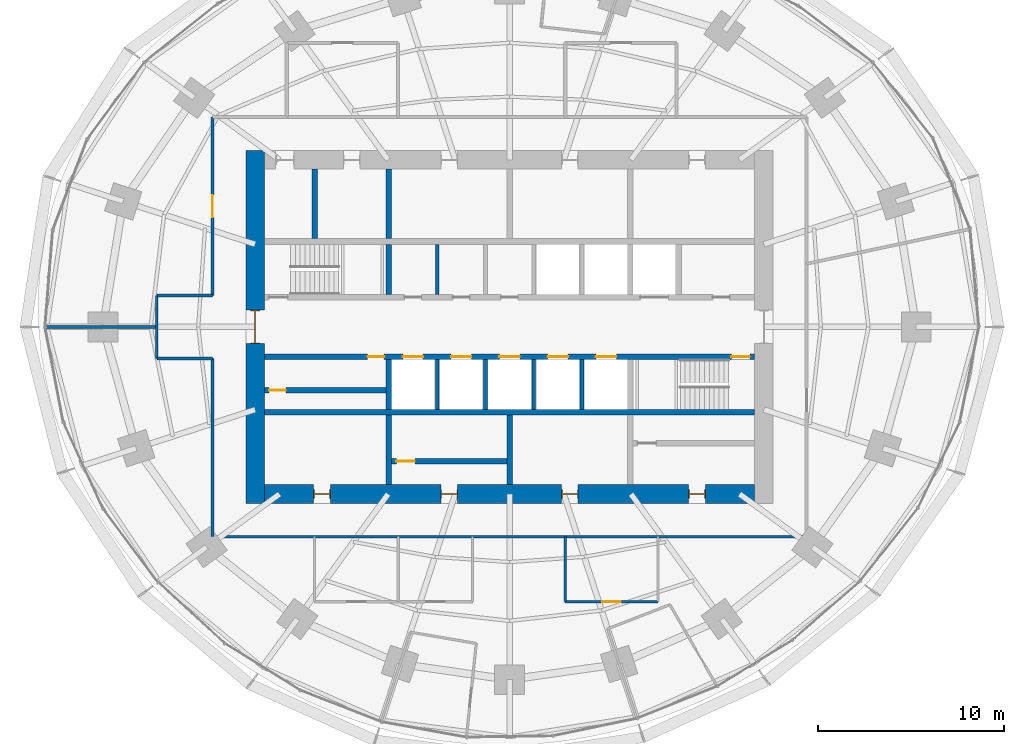
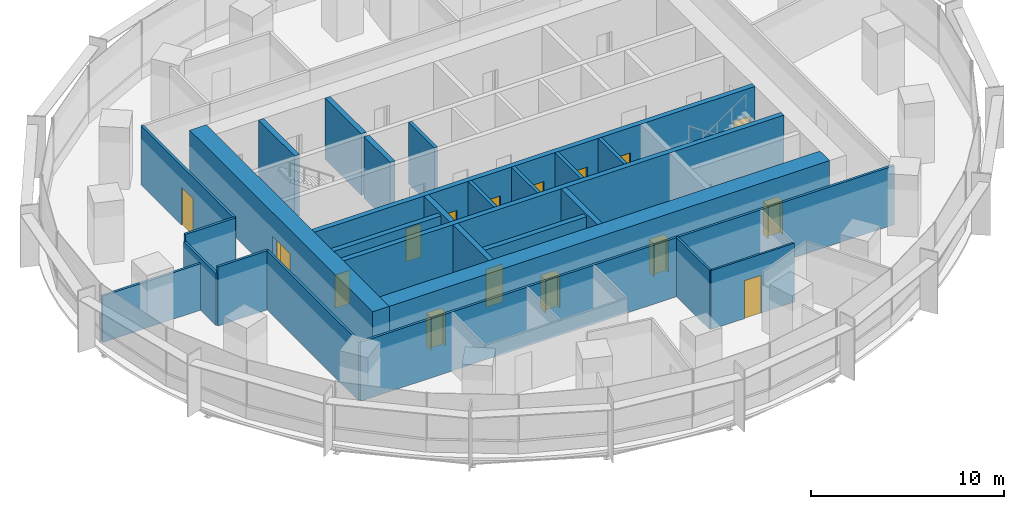
# One storey, part 10 of 14: 26 walls, 16 doors, 16 openings.
"""IFC4 building model written with IfcOpenShell, lengths in metres."""

from ifc_helpers import new_model, si_unit, direction, frame, frame_2d, origin, place, context, subcontext, project, spatial, rectangle, extrude, material, layer, layer_set, type_object, element, fill, save


model = new_model("IFC4")

# Units and contexts
model_context = context("Model", 3, precision=1e-05, world=origin(), true_north=direction((0.0, 1.0)))
body_context = subcontext(model_context, "Body", "Model", "MODEL_VIEW")
ifc_project = project(units=[si_unit("LENGTHUNIT", "METRE"), si_unit("AREAUNIT", "SQUARE_METRE"), si_unit("VOLUMEUNIT", "CUBIC_METRE"), si_unit("PLANEANGLEUNIT", "RADIAN"), si_unit("MASSUNIT", "GRAM", prefix="KILO")], contexts=[model_context])

# Site, building, storey
site_placement = place(None, origin())
site = spatial("IfcSite", under=ifc_project, at=site_placement, CompositionType="ELEMENT")
building_placement = place(site_placement, origin())
building = spatial("IfcBuilding", under=site, at=building_placement, Name="Marramba Exchange Tower", CompositionType="ELEMENT")
storey_placement = place(building_placement, frame((0.0, 0.0, 108.0)))
storey = spatial("IfcBuildingStorey", under=building, at=storey_placement, Name="L25", CompositionType="ELEMENT", Elevation=108.0)

# Walls
ifc_material_1 = material(Name="Concrete N50", Category="concrete")
ifc_layer_1 = layer(ifc_material_1, 0.199951171875)
ifc_layer_set_1 = layer_set([ifc_layer_1], Name="Core shaft wall 200")
wall_type_1 = type_object("IfcWallType", Name="Core shaft wall 200", PredefinedType="SHEAR", material=ifc_layer_set_1)
for number, where, z_axis, x_axis, name in (
    (1, (-3.89990234375, 1.75, 0.0), (0.0, 0.0, 1.0), (0.0, 1.0, 0.0), "Core wall SHN1 L25"),
    (2, (-3.89990234375, -1.75, 0.0), (0.0, 0.0, 1.0), (0.0, -1.0, 0.0), "Core wall SHS1 L25"),
    (3, (-1.300048828125, -1.75, 0.0), (0.0, 0.0, 1.0), (0.0, -1.0, 0.0), "Core wall SHS2 L25"),
    (4, (1.300048828125, -1.75, 0.0), (0.0, 0.0, 1.0), (0.0, -1.0, 0.0), "Core wall SHS3 L25"),
    (5, (3.89990234375, -1.75, 0.0), (0.0, 0.0, 1.0), (0.0, -1.0, 0.0), "Core wall SHS4 L25"),
):
    element("IfcWall", number, at=place(storey_placement, frame(where, z_axis=z_axis, x_axis=x_axis)), inside=storey, type_object=wall_type_1, Name=name, PredefinedType="SHEAR", context=body_context, shape_type="SweptSolid", body=[
        extrude(rectangle(XDim=2.699951171875, YDim=0.199951171875, at=frame_2d((1.35009765625, 0.0))), origin(), (0.0, 0.0, 1.0), 3.89990234375),
    ])

# Wall, openings, doors
ifc_layer_2 = layer(ifc_material_1, 1.0)
ifc_layer_set_2 = layer_set([ifc_layer_2], Name="Core wall 1000")
wall_type_2 = type_object("IfcWallType", Name="Core wall 1000", PredefinedType="SHEAR", material=ifc_layer_set_2)
wall_1_placement = place(storey_placement, frame((-13.199951171875, -9.0, 0.0), z_axis=(0.0, 0.0, 1.0), x_axis=(1.0, 0.0, 0.0)))
wall_1 = element("IfcWall", 6, at=wall_1_placement, inside=storey, type_object=wall_type_2, Name="Core wall S L25", PredefinedType="SHEAR", context=body_context, shape_type="SweptSolid", body=[
    extrude(rectangle(XDim=26.39990234375, YDim=1.0, at=frame_2d((13.199951171875, 0.0))), origin(), (0.0, 0.0, 1.0), 3.89990234375),
])
opening_1_placement = place(wall_1_placement, frame((2.64990234375, 0.0, 0.0)))
opening_1 = element("IfcOpeningElement", 7, at=opening_1_placement, cuts=wall_1, Name="Opening D5", PredefinedType="OPENING", context=body_context, shape_type="SweptSolid", body=[
    extrude(rectangle(XDim=0.89990234375, YDim=2.10009765625, at=frame_2d((0.449951171875, 1.050048828125))), frame((0.0, 0.510009765625, 0.0), z_axis=(0.0, -1.0, 0.0), x_axis=(1.0, 0.0, 0.0)), (0.0, 0.0, 1.0), 1.02001953125),
])
opening_2_placement = place(wall_1_placement, frame((9.5, 0.0, 0.0)))
opening_2 = element("IfcOpeningElement", 8, at=opening_2_placement, cuts=wall_1, Name="Opening D5", PredefinedType="OPENING", context=body_context, shape_type="SweptSolid", body=[
    extrude(rectangle(XDim=0.89990234375, YDim=2.10009765625, at=frame_2d((0.449951171875, 1.050048828125))), frame((0.0, 0.510009765625, 0.0), z_axis=(0.0, -1.0, 0.0), x_axis=(1.0, 0.0, 0.0)), (0.0, 0.0, 1.0), 1.02001953125),
])
opening_3_placement = place(wall_1_placement, frame((16.0, 0.0, 0.0)))
opening_3 = element("IfcOpeningElement", 9, at=opening_3_placement, cuts=wall_1, Name="Opening D5", PredefinedType="OPENING", context=body_context, shape_type="SweptSolid", body=[
    extrude(rectangle(XDim=0.89990234375, YDim=2.10009765625, at=frame_2d((0.449951171875, 1.050048828125))), frame((0.0, 0.510009765625, 0.0), z_axis=(0.0, -1.0, 0.0), x_axis=(1.0, 0.0, 0.0)), (0.0, 0.0, 1.0), 1.02001953125),
])
opening_4_placement = place(wall_1_placement, frame((22.85009765625, 0.0, 0.0)))
opening_4 = element("IfcOpeningElement", 10, at=opening_4_placement, cuts=wall_1, Name="Opening D5", PredefinedType="OPENING", context=body_context, shape_type="SweptSolid", body=[
    extrude(rectangle(XDim=0.89990234375, YDim=2.10009765625, at=frame_2d((0.449951171875, 1.050048828125))), frame((0.0, 0.510009765625, 0.0), z_axis=(0.0, -1.0, 0.0), x_axis=(1.0, 0.0, 0.0)), (0.0, 0.0, 1.0), 1.02001953125),
])
ifc_material_2 = material(Name="Steel-framed door", Category="steel")
door_type_1 = type_object("IfcDoorType", Name="Service door 900x2100", OperationType="SINGLE_SWING_LEFT", PredefinedType="DOOR", material=ifc_material_2)
door_1_placement = place(opening_1_placement, origin())
door_1 = element("IfcDoor", 11, at=door_1_placement, inside=storey, type_object=door_type_1, Name="D5 ahu L25", OperationType="SINGLE_SWING_LEFT", OverallHeight=2.10009765625, OverallWidth=0.89990234375, PredefinedType="DOOR", context=body_context, shape_type="SweptSolid", body=[
    extrude(rectangle(XDim=0.81982421875, YDim=2.06005859375, at=frame_2d((0.449951171875, 1.030029296875))), frame((0.0, 0.02490234375, 0.0), z_axis=(0.0, -1.0, 0.0), x_axis=(1.0, 0.0, 0.0)), (0.0, 0.0, 1.0), 0.050048828125),
    extrude(rectangle(XDim=0.04, YDim=2.10009765625, at=frame_2d((0.02001953125, 1.050048828125))), frame((0.0, 0.25, 0.0), z_axis=(0.0, -1.0, 0.0), x_axis=(1.0, 0.0, 0.0)), (0.0, 0.0, 1.0), 0.5),
    extrude(rectangle(XDim=0.04, YDim=2.10009765625, at=frame_2d((0.8798828125, 1.050048828125))), frame((0.0, 0.25, 0.0), z_axis=(0.0, -1.0, 0.0), x_axis=(1.0, 0.0, 0.0)), (0.0, 0.0, 1.0), 0.5),
    extrude(rectangle(XDim=0.81982421875, YDim=0.04, at=frame_2d((0.449951171875, 2.080078125))), frame((0.0, 0.25, 0.0), z_axis=(0.0, -1.0, 0.0), x_axis=(1.0, 0.0, 0.0)), (0.0, 0.0, 1.0), 0.5),
])
fill(opening_1, door_1)
door_2_placement = place(opening_2_placement, origin())
door_2 = element("IfcDoor", 12, at=door_2_placement, inside=storey, type_object=door_type_1, Name="D5 store L25", OperationType="SINGLE_SWING_RIGHT", OverallHeight=2.10009765625, OverallWidth=0.89990234375, PredefinedType="DOOR", context=body_context, shape_type="SweptSolid", body=[
    extrude(rectangle(XDim=0.81982421875, YDim=2.06005859375, at=frame_2d((0.449951171875, 1.030029296875))), frame((0.0, 0.02490234375, 0.0), z_axis=(0.0, -1.0, 0.0), x_axis=(1.0, 0.0, 0.0)), (0.0, 0.0, 1.0), 0.050048828125),
    extrude(rectangle(XDim=0.04, YDim=2.10009765625, at=frame_2d((0.02001953125, 1.050048828125))), frame((0.0, 0.25, 0.0), z_axis=(0.0, -1.0, 0.0), x_axis=(1.0, 0.0, 0.0)), (0.0, 0.0, 1.0), 0.5),
    extrude(rectangle(XDim=0.04, YDim=2.10009765625, at=frame_2d((0.8798828125, 1.050048828125))), frame((0.0, 0.25, 0.0), z_axis=(0.0, -1.0, 0.0), x_axis=(1.0, 0.0, 0.0)), (0.0, 0.0, 1.0), 0.5),
    extrude(rectangle(XDim=0.81982421875, YDim=0.04, at=frame_2d((0.449951171875, 2.080078125))), frame((0.0, 0.25, 0.0), z_axis=(0.0, -1.0, 0.0), x_axis=(1.0, 0.0, 0.0)), (0.0, 0.0, 1.0), 0.5),
])
fill(opening_2, door_2)
door_3_placement = place(opening_3_placement, origin())
door_3 = element("IfcDoor", 13, at=door_3_placement, inside=storey, type_object=door_type_1, Name="D5 switch L25", OperationType="SINGLE_SWING_RIGHT", OverallHeight=2.10009765625, OverallWidth=0.89990234375, PredefinedType="DOOR", context=body_context, shape_type="SweptSolid", body=[
    extrude(rectangle(XDim=0.81982421875, YDim=2.06005859375, at=frame_2d((0.449951171875, 1.030029296875))), frame((0.0, 0.02490234375, 0.0), z_axis=(0.0, -1.0, 0.0), x_axis=(1.0, 0.0, 0.0)), (0.0, 0.0, 1.0), 0.050048828125),
    extrude(rectangle(XDim=0.04, YDim=2.10009765625, at=frame_2d((0.02001953125, 1.050048828125))), frame((0.0, 0.25, 0.0), z_axis=(0.0, -1.0, 0.0), x_axis=(1.0, 0.0, 0.0)), (0.0, 0.0, 1.0), 0.5),
    extrude(rectangle(XDim=0.04, YDim=2.10009765625, at=frame_2d((0.8798828125, 1.050048828125))), frame((0.0, 0.25, 0.0), z_axis=(0.0, -1.0, 0.0), x_axis=(1.0, 0.0, 0.0)), (0.0, 0.0, 1.0), 0.5),
    extrude(rectangle(XDim=0.81982421875, YDim=0.04, at=frame_2d((0.449951171875, 2.080078125))), frame((0.0, 0.25, 0.0), z_axis=(0.0, -1.0, 0.0), x_axis=(1.0, 0.0, 0.0)), (0.0, 0.0, 1.0), 0.5),
])
fill(opening_3, door_3)
door_4_placement = place(opening_4_placement, origin())
door_4 = element("IfcDoor", 14, at=door_4_placement, inside=storey, type_object=door_type_1, Name="D5 cstore L25", OperationType="SINGLE_SWING_RIGHT", OverallHeight=2.10009765625, OverallWidth=0.89990234375, PredefinedType="DOOR", context=body_context, shape_type="SweptSolid", body=[
    extrude(rectangle(XDim=0.81982421875, YDim=2.06005859375, at=frame_2d((0.449951171875, 1.030029296875))), frame((0.0, 0.02490234375, 0.0), z_axis=(0.0, -1.0, 0.0), x_axis=(1.0, 0.0, 0.0)), (0.0, 0.0, 1.0), 0.050048828125),
    extrude(rectangle(XDim=0.04, YDim=2.10009765625, at=frame_2d((0.02001953125, 1.050048828125))), frame((0.0, 0.25, 0.0), z_axis=(0.0, -1.0, 0.0), x_axis=(1.0, 0.0, 0.0)), (0.0, 0.0, 1.0), 0.5),
    extrude(rectangle(XDim=0.04, YDim=2.10009765625, at=frame_2d((0.8798828125, 1.050048828125))), frame((0.0, 0.25, 0.0), z_axis=(0.0, -1.0, 0.0), x_axis=(1.0, 0.0, 0.0)), (0.0, 0.0, 1.0), 0.5),
    extrude(rectangle(XDim=0.81982421875, YDim=0.04, at=frame_2d((0.449951171875, 2.080078125))), frame((0.0, 0.25, 0.0), z_axis=(0.0, -1.0, 0.0), x_axis=(1.0, 0.0, 0.0)), (0.0, 0.0, 1.0), 0.5),
])
fill(opening_4, door_4)

# Wall, opening, door
wall_2_placement = place(storey_placement, frame((-13.699951171875, 9.5, 0.0), z_axis=(0.0, 0.0, 1.0), x_axis=(0.0, -1.0, 0.0)))
wall_2 = element("IfcWall", 15, at=wall_2_placement, inside=storey, type_object=wall_type_2, Name="Core wall W L25", PredefinedType="SHEAR", context=body_context, shape_type="SweptSolid", body=[
    extrude(rectangle(XDim=19.0, YDim=1.0, at=frame_2d((9.5, 0.0))), origin(), (0.0, 0.0, 1.0), 3.89990234375),
])
opening_5_placement = place(wall_2_placement, frame((8.60009765625, 0.0, 0.0)))
opening_5 = element("IfcOpeningElement", 16, at=opening_5_placement, cuts=wall_2, Name="Opening D1", PredefinedType="OPENING", context=body_context, shape_type="SweptSolid", body=[
    extrude(rectangle(XDim=1.800048828125, YDim=2.39990234375, at=frame_2d((0.89990234375, 1.199951171875))), frame((0.0, 0.510009765625, 0.0), z_axis=(0.0, -1.0, 0.0), x_axis=(1.0, 0.0, 0.0)), (0.0, 0.0, 1.0), 1.02001953125),
])
door_type_2 = type_object("IfcDoorType", Name="Lobby exit door 1800x2400", OperationType="DOUBLE_DOOR_SINGLE_SWING", PredefinedType="DOOR", material=ifc_material_2)
door_5_placement = place(opening_5_placement, origin())
door_5 = element("IfcDoor", 17, at=door_5_placement, inside=storey, type_object=door_type_2, Name="D1 lobby exit west L25", OperationType="DOUBLE_DOOR_SINGLE_SWING", OverallHeight=2.39990234375, OverallWidth=1.800048828125, PredefinedType="DOOR", context=body_context, shape_type="SweptSolid", body=[
    extrude(rectangle(XDim=1.719970703125, YDim=2.35986328125, at=frame_2d((0.89990234375, 1.179931640625))), frame((0.0, 0.02490234375, 0.0), z_axis=(0.0, -1.0, 0.0), x_axis=(1.0, 0.0, 0.0)), (0.0, 0.0, 1.0), 0.050048828125),
    extrude(rectangle(XDim=0.04, YDim=2.39990234375, at=frame_2d((0.02001953125, 1.199951171875))), frame((0.0, 0.25, 0.0), z_axis=(0.0, -1.0, 0.0), x_axis=(1.0, 0.0, 0.0)), (0.0, 0.0, 1.0), 0.5),
    extrude(rectangle(XDim=0.04, YDim=2.39990234375, at=frame_2d((1.780029296875, 1.199951171875))), frame((0.0, 0.25, 0.0), z_axis=(0.0, -1.0, 0.0), x_axis=(1.0, 0.0, 0.0)), (0.0, 0.0, 1.0), 0.5),
    extrude(rectangle(XDim=1.719970703125, YDim=0.04, at=frame_2d((0.89990234375, 2.3798828125))), frame((0.0, 0.25, 0.0), z_axis=(0.0, -1.0, 0.0), x_axis=(1.0, 0.0, 0.0)), (0.0, 0.0, 1.0), 0.5),
])
fill(opening_5, door_5)

# Wall, openings, doors
ifc_layer_3 = layer(ifc_material_1, 0.300048828125)
ifc_layer_set_3 = layer_set([ifc_layer_3], Name="Core wall 300")
wall_type_3 = type_object("IfcWallType", Name="Core wall 300", PredefinedType="SHEAR", material=ifc_layer_set_3)
wall_3_placement = place(storey_placement, frame((-13.199951171875, -1.60009765625, 0.0), z_axis=(0.0, 0.0, 1.0), x_axis=(1.0, 0.0, 0.0)))
wall_3 = element("IfcWall", 18, at=wall_3_placement, inside=storey, type_object=wall_type_3, Name="Core wall LS L25", PredefinedType="SHEAR", context=body_context, shape_type="SweptSolid", body=[
    extrude(rectangle(XDim=26.39990234375, YDim=0.300048828125, at=frame_2d((13.199951171875, 0.0))), origin(), (0.0, 0.0, 1.0), 3.89990234375),
])
opening_6_placement = place(wall_3_placement, frame((25.14990234375, 0.0, 0.0)))
opening_6 = element("IfcOpeningElement", 19, at=opening_6_placement, cuts=wall_3, Name="Opening D2", PredefinedType="OPENING", context=body_context, shape_type="SweptSolid", body=[
    extrude(rectangle(XDim=1.0, YDim=2.10009765625, at=frame_2d((0.5, 1.050048828125))), frame((0.0, 0.159912109375, 0.0), z_axis=(0.0, -1.0, 0.0), x_axis=(1.0, 0.0, 0.0)), (0.0, 0.0, 1.0), 0.320068359375),
])
opening_7_placement = place(wall_3_placement, frame((7.449951171875, 0.0, 0.0)))
opening_7 = element("IfcOpeningElement", 20, at=opening_7_placement, cuts=wall_3, Name="Opening LD1", PredefinedType="OPENING", context=body_context, shape_type="SweptSolid", body=[
    extrude(rectangle(XDim=1.10009765625, YDim=2.300048828125, at=frame_2d((0.550048828125, 1.14990234375))), frame((0.0, 0.159912109375, 0.0), z_axis=(0.0, -1.0, 0.0), x_axis=(1.0, 0.0, 0.0)), (0.0, 0.0, 1.0), 0.320068359375),
])
opening_8_placement = place(wall_3_placement, frame((10.050048828125, 0.0, 0.0)))
opening_8 = element("IfcOpeningElement", 21, at=opening_8_placement, cuts=wall_3, Name="Opening LD1", PredefinedType="OPENING", context=body_context, shape_type="SweptSolid", body=[
    extrude(rectangle(XDim=1.10009765625, YDim=2.300048828125, at=frame_2d((0.550048828125, 1.14990234375))), frame((0.0, 0.159912109375, 0.0), z_axis=(0.0, -1.0, 0.0), x_axis=(1.0, 0.0, 0.0)), (0.0, 0.0, 1.0), 0.320068359375),
])
opening_9_placement = place(wall_3_placement, frame((12.64990234375, 0.0, 0.0)))
opening_9 = element("IfcOpeningElement", 22, at=opening_9_placement, cuts=wall_3, Name="Opening LD1", PredefinedType="OPENING", context=body_context, shape_type="SweptSolid", body=[
    extrude(rectangle(XDim=1.10009765625, YDim=2.300048828125, at=frame_2d((0.550048828125, 1.14990234375))), frame((0.0, 0.159912109375, 0.0), z_axis=(0.0, -1.0, 0.0), x_axis=(1.0, 0.0, 0.0)), (0.0, 0.0, 1.0), 0.320068359375),
])
opening_10_placement = place(wall_3_placement, frame((15.25, 0.0, 0.0)))
opening_10 = element("IfcOpeningElement", 23, at=opening_10_placement, cuts=wall_3, Name="Opening LD2", PredefinedType="OPENING", context=body_context, shape_type="SweptSolid", body=[
    extrude(rectangle(XDim=1.10009765625, YDim=2.300048828125, at=frame_2d((0.550048828125, 1.14990234375))), frame((0.0, 0.159912109375, 0.0), z_axis=(0.0, -1.0, 0.0), x_axis=(1.0, 0.0, 0.0)), (0.0, 0.0, 1.0), 0.320068359375),
])
opening_11_placement = place(wall_3_placement, frame((17.85009765625, 0.0, 0.0)))
opening_11 = element("IfcOpeningElement", 24, at=opening_11_placement, cuts=wall_3, Name="Opening LD2", PredefinedType="OPENING", context=body_context, shape_type="SweptSolid", body=[
    extrude(rectangle(XDim=1.10009765625, YDim=2.300048828125, at=frame_2d((0.550048828125, 1.14990234375))), frame((0.0, 0.159912109375, 0.0), z_axis=(0.0, -1.0, 0.0), x_axis=(1.0, 0.0, 0.0)), (0.0, 0.0, 1.0), 0.320068359375),
])
opening_12_placement = place(wall_3_placement, frame((5.550048828125, 0.0, 0.0)))
opening_12 = element("IfcOpeningElement", 25, at=opening_12_placement, cuts=wall_3, Name="Opening D5", PredefinedType="OPENING", context=body_context, shape_type="SweptSolid", body=[
    extrude(rectangle(XDim=0.89990234375, YDim=2.10009765625, at=frame_2d((0.449951171875, 1.050048828125))), frame((0.0, 0.159912109375, 0.0), z_axis=(0.0, -1.0, 0.0), x_axis=(1.0, 0.0, 0.0)), (0.0, 0.0, 1.0), 0.320068359375),
])
door_type_3 = type_object("IfcDoorType", Name="Emergency lift landing door 1100x2300", OperationType="SLIDING_TO_LEFT", PredefinedType="DOOR", material=ifc_material_2)
door_6_placement = place(opening_10_placement, frame((1.10009765625, 0.0, 0.0), z_axis=(0.0, 0.0, 1.0), x_axis=(-1.0, 0.0, 0.0)))
door_6 = element("IfcDoor", 26, at=door_6_placement, inside=storey, type_object=door_type_3, Name="FL1 landing door L25", OperationType="SLIDING_TO_RIGHT", OverallHeight=2.300048828125, OverallWidth=1.10009765625, PredefinedType="DOOR", context=body_context, shape_type="SweptSolid", body=[
    extrude(rectangle(XDim=1.10009765625, YDim=2.300048828125, at=frame_2d((0.550048828125, 1.14990234375))), frame((0.0, 0.025146484375, 0.0), z_axis=(0.0, -1.0, 0.0), x_axis=(1.0, 0.0, 0.0)), (0.0, 0.0, 1.0), 0.050048828125),
])
fill(opening_10, door_6)
door_7_placement = place(opening_11_placement, frame((1.10009765625, 0.0, 0.0), z_axis=(0.0, 0.0, 1.0), x_axis=(-1.0, 0.0, 0.0)))
door_7 = element("IfcDoor", 27, at=door_7_placement, inside=storey, type_object=door_type_3, Name="FL2 landing door L25", OperationType="SLIDING_TO_LEFT", OverallHeight=2.300048828125, OverallWidth=1.10009765625, PredefinedType="DOOR", context=body_context, shape_type="SweptSolid", body=[
    extrude(rectangle(XDim=1.10009765625, YDim=2.300048828125, at=frame_2d((0.550048828125, 1.14990234375))), frame((0.0, 0.025146484375, 0.0), z_axis=(0.0, -1.0, 0.0), x_axis=(1.0, 0.0, 0.0)), (0.0, 0.0, 1.0), 0.050048828125),
])
fill(opening_11, door_7)
door_type_4 = type_object("IfcDoorType", Name="Lift landing door 1100x2300", OperationType="SLIDING_TO_LEFT", PredefinedType="DOOR", material=ifc_material_2)
door_8_placement = place(opening_7_placement, frame((1.10009765625, 0.0, 0.0), z_axis=(0.0, 0.0, 1.0), x_axis=(-1.0, 0.0, 0.0)))
door_8 = element("IfcDoor", 28, at=door_8_placement, inside=storey, type_object=door_type_4, Name="LB1 landing door L25", OperationType="SLIDING_TO_LEFT", OverallHeight=2.300048828125, OverallWidth=1.10009765625, PredefinedType="DOOR", context=body_context, shape_type="SweptSolid", body=[
    extrude(rectangle(XDim=1.10009765625, YDim=2.300048828125, at=frame_2d((0.550048828125, 1.14990234375))), frame((0.0, 0.025146484375, 0.0), z_axis=(0.0, -1.0, 0.0), x_axis=(1.0, 0.0, 0.0)), (0.0, 0.0, 1.0), 0.050048828125),
])
fill(opening_7, door_8)
door_9_placement = place(opening_8_placement, frame((1.10009765625, 0.0, 0.0), z_axis=(0.0, 0.0, 1.0), x_axis=(-1.0, 0.0, 0.0)))
door_9 = element("IfcDoor", 29, at=door_9_placement, inside=storey, type_object=door_type_4, Name="LB2 landing door L25", OperationType="SLIDING_TO_RIGHT", OverallHeight=2.300048828125, OverallWidth=1.10009765625, PredefinedType="DOOR", context=body_context, shape_type="SweptSolid", body=[
    extrude(rectangle(XDim=1.10009765625, YDim=2.300048828125, at=frame_2d((0.550048828125, 1.14990234375))), frame((0.0, 0.025146484375, 0.0), z_axis=(0.0, -1.0, 0.0), x_axis=(1.0, 0.0, 0.0)), (0.0, 0.0, 1.0), 0.050048828125),
])
fill(opening_8, door_9)
door_10_placement = place(opening_9_placement, frame((1.10009765625, 0.0, 0.0), z_axis=(0.0, 0.0, 1.0), x_axis=(-1.0, 0.0, 0.0)))
door_10 = element("IfcDoor", 30, at=door_10_placement, inside=storey, type_object=door_type_4, Name="LB3 landing door L25", OperationType="SLIDING_TO_RIGHT", OverallHeight=2.300048828125, OverallWidth=1.10009765625, PredefinedType="DOOR", context=body_context, shape_type="SweptSolid", body=[
    extrude(rectangle(XDim=1.10009765625, YDim=2.300048828125, at=frame_2d((0.550048828125, 1.14990234375))), frame((0.0, 0.025146484375, 0.0), z_axis=(0.0, -1.0, 0.0), x_axis=(1.0, 0.0, 0.0)), (0.0, 0.0, 1.0), 0.050048828125),
])
fill(opening_9, door_10)
door_11_placement = place(opening_12_placement, frame((0.89990234375, 0.0, 0.0), z_axis=(0.0, 0.0, 1.0), x_axis=(-1.0, 0.0, 0.0)))
door_11 = element("IfcDoor", 31, at=door_11_placement, inside=storey, type_object=door_type_1, Name="D5 electrical riser L25", OperationType="SINGLE_SWING_LEFT", OverallHeight=2.10009765625, OverallWidth=0.89990234375, PredefinedType="DOOR", context=body_context, shape_type="SweptSolid", body=[
    extrude(rectangle(XDim=0.89990234375, YDim=2.10009765625, at=frame_2d((0.449951171875, 1.050048828125))), frame((0.0, 0.025146484375, 0.0), z_axis=(0.0, -1.0, 0.0), x_axis=(1.0, 0.0, 0.0)), (0.0, 0.0, 1.0), 0.050048828125),
])
fill(opening_12, door_11)
door_type_5 = type_object("IfcDoorType", Name="Stair door 1000x2100", OperationType="SINGLE_SWING_LEFT", PredefinedType="DOOR", material=ifc_material_2)
door_12_placement = place(opening_6_placement, frame((1.0, 0.0, 0.0), z_axis=(0.0, 0.0, 1.0), x_axis=(-1.0, 0.0, 0.0)))
door_12 = element("IfcDoor", 32, at=door_12_placement, inside=storey, type_object=door_type_5, Name="D2 stair ST2 L25", OperationType="SINGLE_SWING_LEFT", OverallHeight=2.10009765625, OverallWidth=1.0, PredefinedType="DOOR", context=body_context, shape_type="SweptSolid", body=[
    extrude(rectangle(XDim=1.0, YDim=2.10009765625, at=frame_2d((0.5, 1.050048828125))), frame((0.0, 0.025146484375, 0.0), z_axis=(0.0, -1.0, 0.0), x_axis=(1.0, 0.0, 0.0)), (0.0, 0.0, 1.0), 0.050048828125),
])
fill(opening_6, door_12)

# Walls
wall_4_placement = place(storey_placement, frame((-13.199951171875, -4.60009765625, 0.0), z_axis=(0.0, 0.0, 1.0), x_axis=(1.0, 0.0, 0.0)))
element("IfcWall", 33, at=wall_4_placement, inside=storey, type_object=wall_type_3, Name="Core wall BS L25", PredefinedType="SHEAR", context=body_context, shape_type="SweptSolid", body=[
    extrude(rectangle(XDim=26.39990234375, YDim=0.300048828125, at=frame_2d((13.199951171875, 0.0))), origin(), (0.0, 0.0, 1.0), 3.89990234375),
])
wall_5_placement = place(storey_placement, frame((-6.5, 1.75, 0.0), z_axis=(0.0, 0.0, 1.0), x_axis=(0.0, 1.0, 0.0)))
element("IfcWall", 34, at=wall_5_placement, inside=storey, type_object=wall_type_3, Name="Core wall X0Na L25", PredefinedType="SHEAR", context=body_context, shape_type="SweptSolid", body=[
    extrude(rectangle(XDim=2.699951171875, YDim=0.300048828125, at=frame_2d((1.35009765625, 0.0))), origin(), (0.0, 0.0, 1.0), 3.89990234375),
])
wall_6_placement = place(storey_placement, frame((-6.5, 4.75, 0.0), z_axis=(0.0, 0.0, 1.0), x_axis=(0.0, 1.0, 0.0)))
element("IfcWall", 35, at=wall_6_placement, inside=storey, type_object=wall_type_3, Name="Core wall X0Nb L25", PredefinedType="SHEAR", context=body_context, shape_type="SweptSolid", body=[
    extrude(rectangle(XDim=3.75, YDim=0.300048828125, at=frame_2d((1.875, 0.0))), origin(), (0.0, 0.0, 1.0), 3.89990234375),
])
wall_7_placement = place(storey_placement, frame((-6.5, -1.75, 0.0), z_axis=(0.0, 0.0, 1.0), x_axis=(0.0, -1.0, 0.0)))
element("IfcWall", 36, at=wall_7_placement, inside=storey, type_object=wall_type_3, Name="Core wall X0Sa L25", PredefinedType="SHEAR", context=body_context, shape_type="SweptSolid", body=[
    extrude(rectangle(XDim=2.699951171875, YDim=0.300048828125, at=frame_2d((1.35009765625, 0.0))), origin(), (0.0, 0.0, 1.0), 3.89990234375),
])
for number, where, z_axis, x_axis, name in (
    (37, (-6.5, -4.75, 0.0), (0.0, 0.0, 1.0), (0.0, -1.0, 0.0), "Core wall X0Sb L25"),
    (38, (0.0, -4.75, 0.0), (0.0, 0.0, 1.0), (0.0, -1.0, 0.0), "Core wall MS L25"),
    (39, (-10.5, 4.75, 0.0), (0.0, 0.0, 1.0), (0.0, 1.0, 0.0), "Core wall WD L25"),
):
    element("IfcWall", number, at=place(storey_placement, frame(where, z_axis=z_axis, x_axis=x_axis)), inside=storey, type_object=wall_type_3, Name=name, PredefinedType="SHEAR", context=body_context, shape_type="SweptSolid", body=[
        extrude(rectangle(XDim=3.75, YDim=0.300048828125, at=frame_2d((1.875, 0.0))), origin(), (0.0, 0.0, 1.0), 3.89990234375),
    ])
ifc_material_3 = material(Name="Plasterboard on steel studs", Category="steel")
ifc_layer_4 = layer(ifc_material_3, 0.1201171875)
ifc_layer_set_4 = layer_set([ifc_layer_4], Name="Partition 120")
wall_type_4 = type_object("IfcWallType", Name="Partition 120", PredefinedType="PARTITIONING", material=ifc_layer_set_4)
wall_8_placement = place(storey_placement, frame((3.0, -11.300048828125, 0.0), z_axis=(0.0, 0.0, 1.0), x_axis=(0.0, -1.0, 0.0)))
element("IfcWall", 40, at=wall_8_placement, inside=storey, type_object=wall_type_4, Name="Partition L25 11", PredefinedType="PARTITIONING", context=body_context, shape_type="SweptSolid", body=[
    extrude(rectangle(XDim=3.5, YDim=0.1201171875, at=frame_2d((1.75, 0.0))), origin(), (0.0, 0.0, 1.0), 3.739990234375),
])

# Wall, opening, door
wall_9_placement = place(storey_placement, frame((3.0, -14.800048828125, 0.0), z_axis=(0.0, 0.0, 1.0), x_axis=(1.0, 0.0, 0.0)))
wall_9 = element("IfcWall", 41, at=wall_9_placement, inside=storey, type_object=wall_type_4, Name="Partition L25 13", PredefinedType="PARTITIONING", context=body_context, shape_type="SweptSolid", body=[
    extrude(rectangle(XDim=5.0, YDim=0.1201171875, at=frame_2d((2.5, 0.0))), origin(), (0.0, 0.0, 1.0), 3.739990234375),
])
opening_13_placement = place(wall_9_placement, frame((2.0, 0.0, 0.0)))
opening_13 = element("IfcOpeningElement", 42, at=opening_13_placement, cuts=wall_9, Name="Opening D9", PredefinedType="OPENING", context=body_context, shape_type="SweptSolid", body=[
    extrude(rectangle(XDim=1.0, YDim=2.39990234375, at=frame_2d((0.5, 1.199951171875))), frame((0.0, 0.070068359375, 0.0), z_axis=(0.0, -1.0, 0.0), x_axis=(1.0, 0.0, 0.0)), (0.0, 0.0, 1.0), 0.14013671875),
])
ifc_material_4 = material(Name="Timber door", Category="wood")
door_type_6 = type_object("IfcDoorType", Name="Room door 1000x2400", OperationType="SINGLE_SWING_LEFT", PredefinedType="DOOR", material=ifc_material_4)
door_13_placement = place(opening_13_placement, origin())
door_13 = element("IfcDoor", 43, at=door_13_placement, inside=storey, type_object=door_type_6, Name="D9 Pantry 1 L25", OperationType="SINGLE_SWING_RIGHT", OverallHeight=2.39990234375, OverallWidth=1.0, PredefinedType="DOOR", context=body_context, shape_type="SweptSolid", body=[
    extrude(rectangle(XDim=1.0, YDim=2.39990234375, at=frame_2d((0.5, 1.199951171875))), frame((0.0, 0.02490234375, 0.0), z_axis=(0.0, -1.0, 0.0), x_axis=(1.0, 0.0, 0.0)), (0.0, 0.0, 1.0), 0.050048828125),
])
fill(opening_13, door_13)

ifc_material_5 = material(Name="Core-filled concrete blockwork", Category="masonry")
ifc_layer_5 = layer(ifc_material_5, 0.300048828125)
ifc_layer_set_5 = layer_set([ifc_layer_5], Name="Riser enclosure wall 300")
wall_type_5 = type_object("IfcWallType", Name="Riser enclosure wall 300", PredefinedType="SOLIDWALL", material=ifc_layer_set_5)
wall_10_placement = place(storey_placement, frame((-13.199951171875, -3.39990234375, 0.0), z_axis=(0.0, 0.0, 1.0), x_axis=(1.0, 0.0, 0.0)))
wall_10 = element("IfcWall", 44, at=wall_10_placement, inside=storey, type_object=wall_type_5, Name="Riser enclosure wall L25", PredefinedType="SOLIDWALL", context=body_context, shape_type="SweptSolid", body=[
    extrude(rectangle(XDim=6.550048828125, YDim=0.300048828125, at=frame_2d((3.27490234375, 0.0))), origin(), (0.0, 0.0, 1.0), 3.739990234375),
])
opening_14_placement = place(wall_10_placement, frame((0.25, 0.0, 0.0)))
opening_14 = element("IfcOpeningElement", 45, at=opening_14_placement, cuts=wall_10, Name="Opening D5", PredefinedType="OPENING", context=body_context, shape_type="SweptSolid", body=[
    extrude(rectangle(XDim=0.89990234375, YDim=2.10009765625, at=frame_2d((0.449951171875, 1.050048828125))), frame((0.0, 0.159912109375, 0.0), z_axis=(0.0, -1.0, 0.0), x_axis=(1.0, 0.0, 0.0)), (0.0, 0.0, 1.0), 0.320068359375),
])
door_14_placement = place(opening_14_placement, frame((0.89990234375, 0.0, 0.0), z_axis=(0.0, 0.0, 1.0), x_axis=(-1.0, 0.0, 0.0)))
door_14 = element("IfcDoor", 46, at=door_14_placement, inside=storey, type_object=door_type_1, Name="D5 electrical riser back L25", OperationType="SINGLE_SWING_RIGHT", OverallHeight=2.10009765625, OverallWidth=0.89990234375, PredefinedType="DOOR", context=body_context, shape_type="SweptSolid", body=[
    extrude(rectangle(XDim=0.89990234375, YDim=2.10009765625, at=frame_2d((0.449951171875, 1.050048828125))), frame((0.0, 0.025146484375, 0.0), z_axis=(0.0, -1.0, 0.0), x_axis=(1.0, 0.0, 0.0)), (0.0, 0.0, 1.0), 0.050048828125),
])
fill(opening_14, door_14)

ifc_material_6 = material(Name="Plasterboard on steel studs, insulated, unrated", Category="steel")
ifc_layer_6 = layer(ifc_material_6, 0.300048828125)
ifc_layer_set_6 = layer_set([ifc_layer_6], Name="Store partition 300")
wall_type_6 = type_object("IfcWallType", Name="Store partition 300", PredefinedType="PARTITIONING", material=ifc_layer_set_6)
wall_11_placement = place(storey_placement, frame((-6.35009765625, -7.239990234375, 0.0), z_axis=(0.0, 0.0, 1.0), x_axis=(1.0, 0.0, 0.0)))
wall_11 = element("IfcWall", 47, at=wall_11_placement, inside=storey, type_object=wall_type_6, Name="Store partition L25 store", PredefinedType="PARTITIONING", context=body_context, shape_type="SweptSolid", body=[
    extrude(rectangle(XDim=6.2001953125, YDim=0.300048828125, at=frame_2d((3.10009765625, 0.0))), origin(), (0.0, 0.0, 1.0), 3.739990234375),
])
opening_15_placement = place(wall_11_placement, frame((0.25, 0.0, 0.0)))
opening_15 = element("IfcOpeningElement", 48, at=opening_15_placement, cuts=wall_11, Name="Opening D9", PredefinedType="OPENING", context=body_context, shape_type="SweptSolid", body=[
    extrude(rectangle(XDim=1.0, YDim=2.39990234375, at=frame_2d((0.5, 1.199951171875))), frame((0.0, 0.159912109375, 0.0), z_axis=(0.0, -1.0, 0.0), x_axis=(1.0, 0.0, 0.0)), (0.0, 0.0, 1.0), 0.320068359375),
])
door_15_placement = place(opening_15_placement, frame((1.0, 0.0, 0.0), z_axis=(0.0, 0.0, 1.0), x_axis=(-1.0, 0.0, 0.0)))
door_15 = element("IfcDoor", 49, at=door_15_placement, inside=storey, type_object=door_type_6, Name="D9 stationery store L25", OperationType="SINGLE_SWING_RIGHT", OverallHeight=2.39990234375, OverallWidth=1.0, PredefinedType="DOOR", context=body_context, shape_type="SweptSolid", body=[
    extrude(rectangle(XDim=1.0, YDim=2.39990234375, at=frame_2d((0.5, 1.199951171875))), frame((0.0, 0.025146484375, 0.0), z_axis=(0.0, -1.0, 0.0), x_axis=(1.0, 0.0, 0.0)), (0.0, 0.0, 1.0), 0.050048828125),
])
fill(opening_15, door_15)

# Walls
ifc_material_7 = material(Name="Fire-rated plasterboard on steel studs, acoustic insulation", Category="steel")
ifc_layer_7 = layer(ifc_material_7, 0.14990234375)
ifc_layer_set_7 = layer_set([ifc_layer_7], Name="Tenancy wall 150")
wall_type_7 = type_object("IfcWallType", Name="Tenancy wall 150", PredefinedType="PARTITIONING", material=ifc_layer_set_7)
wall_12_placement = place(storey_placement, frame((-19.0, -1.699951171875, 0.0), z_axis=(0.0, 0.0, 1.0), x_axis=(1.0, 0.0, 0.0)))
element("IfcWall", 50, at=wall_12_placement, inside=storey, type_object=wall_type_7, Name="Tenancy wall L25 01", PredefinedType="PARTITIONING", context=body_context, shape_type="SweptSolid", body=[
    extrude(rectangle(XDim=3.0, YDim=0.14990234375, at=frame_2d((1.5, 0.0))), origin(), (0.0, 0.0, 1.0), 3.739990234375),
])
wall_13_placement = place(storey_placement, frame((-16.0, -1.699951171875, 0.0), z_axis=(0.0, 0.0, 1.0), x_axis=(0.0, -1.0, 0.0)))
element("IfcWall", 51, at=wall_13_placement, inside=storey, type_object=wall_type_7, Name="Tenancy wall L25 02", PredefinedType="PARTITIONING", context=body_context, shape_type="SweptSolid", body=[
    extrude(rectangle(XDim=9.60009765625, YDim=0.14990234375, at=frame_2d((4.800048828125, 0.0))), origin(), (0.0, 0.0, 1.0), 3.739990234375),
])
wall_14_placement = place(storey_placement, frame((-16.0, -11.300048828125, 0.0), z_axis=(0.0, 0.0, 1.0), x_axis=(1.0, 0.0, 0.0)))
element("IfcWall", 52, at=wall_14_placement, inside=storey, type_object=wall_type_7, Name="Tenancy wall L25 10", PredefinedType="PARTITIONING", context=body_context, shape_type="SweptSolid", body=[
    extrude(rectangle(XDim=32.0, YDim=0.14990234375, at=frame_2d((16.0, 0.0))), origin(), (0.0, 0.0, 1.0), 3.739990234375),
])

# Wall, opening, door
wall_15_placement = place(storey_placement, frame((-16.0, 11.300048828125, 0.0), z_axis=(0.0, 0.0, 1.0), x_axis=(0.0, -1.0, 0.0)))
wall_15 = element("IfcWall", 53, at=wall_15_placement, inside=storey, type_object=wall_type_7, Name="Tenancy wall L25 33", PredefinedType="PARTITIONING", context=body_context, shape_type="SweptSolid", body=[
    extrude(rectangle(XDim=9.60009765625, YDim=0.14990234375, at=frame_2d((4.800048828125, 0.0))), origin(), (0.0, 0.0, 1.0), 3.739990234375),
])
opening_16_placement = place(wall_15_placement, frame((4.199951171875, 0.0, 0.0)))
opening_16 = element("IfcOpeningElement", 54, at=opening_16_placement, cuts=wall_15, Name="Opening D13", PredefinedType="OPENING", context=body_context, shape_type="SweptSolid", body=[
    extrude(rectangle(XDim=1.199951171875, YDim=2.39990234375, at=frame_2d((0.60009765625, 1.199951171875))), frame((0.0, 0.0849609375, 0.0), z_axis=(0.0, -1.0, 0.0), x_axis=(1.0, 0.0, 0.0)), (0.0, 0.0, 1.0), 0.169921875),
])
door_type_7 = type_object("IfcDoorType", Name="Tenancy entry door 1200x2400", OperationType="SINGLE_SWING_LEFT", PredefinedType="DOOR", material=ifc_material_2)
door_16_placement = place(opening_16_placement, origin())
door_16 = element("IfcDoor", 55, at=door_16_placement, inside=storey, type_object=door_type_7, Name="D13 Office 2 L25", OperationType="SINGLE_SWING_LEFT", OverallHeight=2.39990234375, OverallWidth=1.199951171875, PredefinedType="DOOR", context=body_context, shape_type="SweptSolid", body=[
    extrude(rectangle(XDim=1.199951171875, YDim=2.39990234375, at=frame_2d((0.60009765625, 1.199951171875))), frame((0.0, 0.02490234375, 0.0), z_axis=(0.0, -1.0, 0.0), x_axis=(1.0, 0.0, 0.0)), (0.0, 0.0, 1.0), 0.050048828125),
])
fill(opening_16, door_16)

# Walls
wall_16_placement = place(storey_placement, frame((-16.0, 1.699951171875, 0.0), z_axis=(0.0, 0.0, 1.0), x_axis=(-1.0, 0.0, 0.0)))
element("IfcWall", 56, at=wall_16_placement, inside=storey, type_object=wall_type_7, Name="Tenancy wall L25 34", PredefinedType="PARTITIONING", context=body_context, shape_type="SweptSolid", body=[
    extrude(rectangle(XDim=3.0, YDim=0.14990234375, at=frame_2d((1.5, 0.0))), origin(), (0.0, 0.0, 1.0), 3.739990234375),
])
wall_17_placement = place(storey_placement, frame((-24.93798828125, 0.0, 0.0), z_axis=(0.0, 0.0, 1.0), x_axis=(1.0, 0.0, 0.0)))
element("IfcWall", 57, at=wall_17_placement, inside=storey, type_object=wall_type_7, Name="Tenancy wall L25 35", PredefinedType="PARTITIONING", context=body_context, shape_type="SweptSolid", body=[
    extrude(rectangle(XDim=5.93798828125, YDim=0.14990234375, at=frame_2d((2.968994140625, 0.0))), origin(), (0.0, 0.0, 1.0), 2.93994140625),
])
wall_18_placement = place(storey_placement, frame((-19.0, 1.699951171875, 0.0), z_axis=(0.0, 0.0, 1.0), x_axis=(0.0, -1.0, 0.0)))
element("IfcWall", 58, at=wall_18_placement, inside=storey, type_object=wall_type_7, Name="Tenancy wall L25 36", PredefinedType="PARTITIONING", context=body_context, shape_type="SweptSolid", body=[
    extrude(rectangle(XDim=3.39990234375, YDim=0.14990234375, at=frame_2d((1.699951171875, 0.0))), origin(), (0.0, 0.0, 1.0), 3.285888671875),
])

save(model, "model.ifc")
